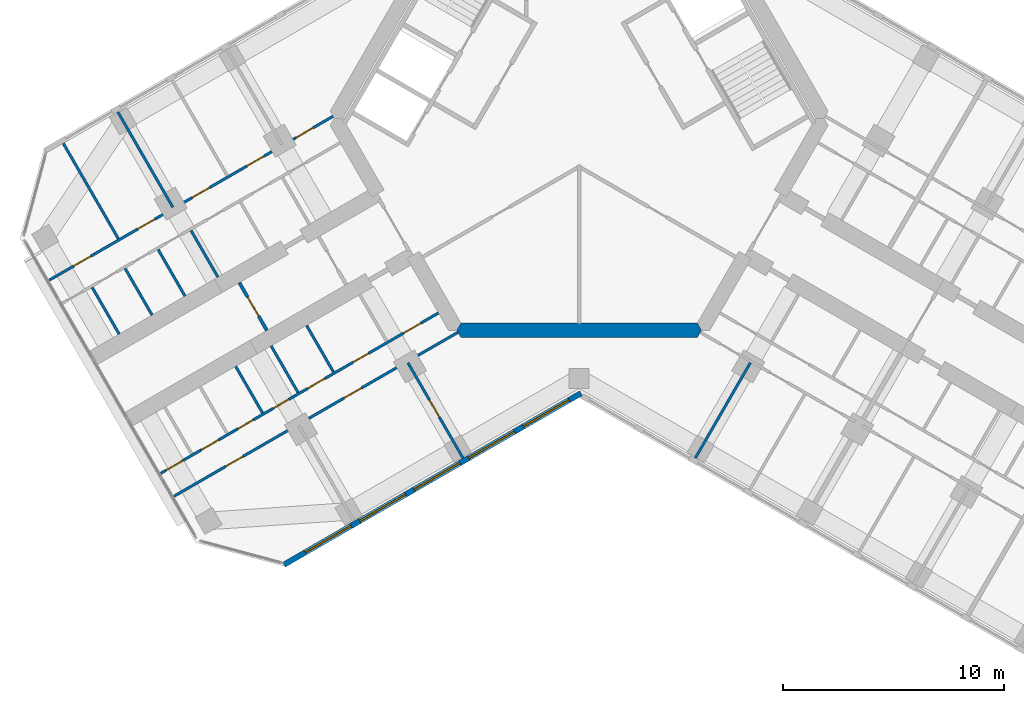
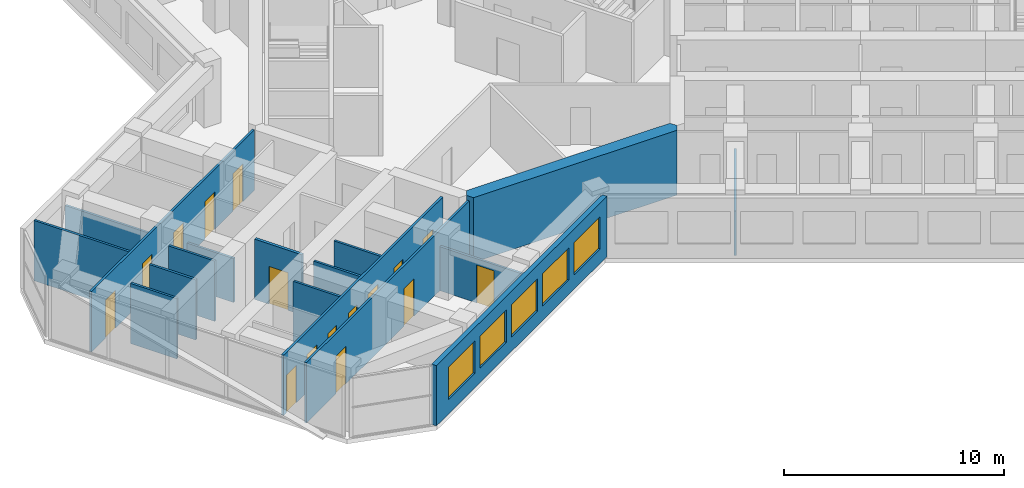
# One storey, part 8 of 16: 17 walls, 16 doors, 5 windows, 21 openings.
"""IFC4 building model written with IfcOpenShell, lengths in metres."""

from ifc_helpers import new_model, si_unit, direction, frame, frame_2d, origin, place, context, subcontext, project, spatial, polyline, rectangle, outline, extrude, material, layer, layer_set, type_object, element, fill, save


model = new_model("IFC4")

# Units and contexts
model_context = context("Model", 3, precision=1e-05, world=origin(), true_north=direction((0.0, 1.0)))
body_context = subcontext(model_context, "Body", "Model", "MODEL_VIEW")
ifc_project = project(units=[si_unit("LENGTHUNIT", "METRE"), si_unit("AREAUNIT", "SQUARE_METRE"), si_unit("VOLUMEUNIT", "CUBIC_METRE"), si_unit("PLANEANGLEUNIT", "RADIAN"), si_unit("MASSUNIT", "GRAM", prefix="KILO")], contexts=[model_context])

# Site, building, storey
site_placement = place(None, origin())
site = spatial("IfcSite", under=ifc_project, at=site_placement, CompositionType="ELEMENT")
building_placement = place(site_placement, origin())
building = spatial("IfcBuilding", under=site, at=building_placement, Name="Kosmar Iwan School Tower", CompositionType="ELEMENT")
storey_placement = place(building_placement, frame((0.0, 0.0, 197.39990234375)))
storey = spatial("IfcBuildingStorey", under=building, at=storey_placement, Name="L49", CompositionType="ELEMENT", Elevation=197.39990234375)

# Wall
ifc_material_1 = material(Name="Concrete C50/60", Category="concrete")
ifc_layer_1 = layer(ifc_material_1, 0.64990234375)
ifc_layer_set_1 = layer_set([ifc_layer_1], Name="Core wall 650")
wall_type_1 = type_object("IfcWallType", Name="Core wall 650", PredefinedType="SHEAR", material=ifc_layer_set_1)
wall_1_placement = place(storey_placement, origin())
element("IfcWall", 1, at=wall_1_placement, inside=storey, type_object=wall_type_1, Name="Core wall F270", PredefinedType="SHEAR", context=body_context, shape_type="SweptSolid", body=[
    extrude(outline(polyline([(-5.35498046875, -9.925048828125), (5.35498046875, -9.925048828125), (5.54248046875, -9.60009765625), (5.35498046875, -9.27490234375), (-5.35498046875, -9.27490234375), (-5.54248046875, -9.60009765625), (-5.35498046875, -9.925048828125)])), origin(), (0.0, 0.0, 1.0), 3.60009765625),
])

# Wall, opening, door
ifc_material_2 = material(Name="Gypsum board on steel studs, fire-rated", Category="steel")
ifc_layer_2 = layer(ifc_material_2, 0.14990234375)
ifc_layer_set_2 = layer_set([ifc_layer_2], Name="Corridor end wall 150")
wall_type_2 = type_object("IfcWallType", Name="Corridor end wall 150", PredefinedType="PARTITIONING", material=ifc_layer_set_2)
wall_2_placement = place(storey_placement, frame((-15.390625, -7.4423828125, 0.0), z_axis=(0.0, 0.0, 1.0), x_axis=(0.500004234368, -0.866022959057, 0.0)))
wall_2 = element("IfcWall", 2, at=wall_2_placement, inside=storey, type_object=wall_type_2, Name="Partition L49-B-CE", PredefinedType="PARTITIONING", context=body_context, shape_type="SweptSolid", body=[
    extrude(rectangle(XDim=2.5, YDim=0.14990234375, at=frame_2d((1.25, 0.0))), origin(), (0.0, 0.0, 1.0), 3.35009765625),
])
opening_1_placement = place(wall_2_placement, frame((0.75, 0.0, 0.0)))
opening_1 = element("IfcOpeningElement", 3, at=opening_1_placement, cuts=wall_2, Name="Opening D13", PredefinedType="OPENING", context=body_context, shape_type="SweptSolid", body=[
    extrude(rectangle(XDim=1.0, YDim=2.10009765625, at=frame_2d((0.5, 1.050048828125))), frame((0.0, 0.0869140625, 0.0), z_axis=(0.0, -1.0, 0.0), x_axis=(1.0, 0.0, 0.0)), (0.0, 0.0, 1.0), 0.173828125),
])
ifc_material_3 = material(Name="Timber fire door with vision panel", Category="wood")
door_type_1 = type_object("IfcDoorType", Name="Corridor end door 1000x2100", OperationType="SINGLE_SWING_LEFT", PredefinedType="DOOR", material=ifc_material_3)
door_1_placement = place(opening_1_placement, origin())
door_1 = element("IfcDoor", 4, at=door_1_placement, inside=storey, type_object=door_type_1, Name="Hobby workshop door L49-B", OperationType="SINGLE_SWING_LEFT", OverallHeight=2.10009765625, OverallWidth=1.0, PredefinedType="DOOR", context=body_context, shape_type="SweptSolid", body=[
    extrude(rectangle(XDim=1.0, YDim=2.10009765625, at=frame_2d((0.5, 1.050048828125))), frame((0.0, 0.02490234375, 0.0), z_axis=(0.0, -1.0, 0.0), x_axis=(1.0, 0.0, 0.0)), (0.0, 0.0, 1.0), 0.050048828125),
])
fill(opening_1, door_1)

# Wall, openings, doors
ifc_material_4 = material(Name="Gypsum board on steel studs", Category="steel")
ifc_layer_3 = layer(ifc_material_4, 0.1201171875)
ifc_layer_set_3 = layer_set([ifc_layer_3], Name="Dwelling partition 120")
wall_type_3 = type_object("IfcWallType", Name="Dwelling partition 120", PredefinedType="PARTITIONING", material=ifc_layer_set_3)
wall_3_placement = place(storey_placement, frame((-6.370361328125, -8.81640625, 0.0), z_axis=(0.0, 0.0, 1.0), x_axis=(-0.866025425371, -0.499999962611, 0.0)))
wall_3 = element("IfcWall", 5, at=wall_3_placement, inside=storey, type_object=wall_type_3, Name="Partition L49-BL1-W1", PredefinedType="PARTITIONING", context=body_context, shape_type="SweptSolid", body=[
    extrude(rectangle(XDim=14.52001953125, YDim=0.1201171875, at=frame_2d((7.260009765625, 0.0))), origin(), (0.0, 0.0, 1.0), 3.35009765625),
])
opening_2_placement = place(wall_3_placement, frame((0.925048828125, 0.0, 0.0)))
opening_2 = element("IfcOpeningElement", 6, at=opening_2_placement, cuts=wall_3, Name="Opening D2", PredefinedType="OPENING", context=body_context, shape_type="SweptSolid", body=[
    extrude(rectangle(XDim=0.89990234375, YDim=2.10009765625, at=frame_2d((0.449951171875, 1.050048828125))), frame((0.0, 0.072021484375, 0.0), z_axis=(0.0, -1.0, 0.0), x_axis=(1.0, 0.0, 0.0)), (0.0, 0.0, 1.0), 0.14404296875),
])
opening_3_placement = place(wall_3_placement, frame((3.665283203125, 0.0, 0.0)))
opening_3 = element("IfcOpeningElement", 7, at=opening_3_placement, cuts=wall_3, Name="Opening D3", PredefinedType="OPENING", context=body_context, shape_type="SweptSolid", body=[
    extrude(rectangle(XDim=0.800048828125, YDim=2.10009765625, at=frame_2d((0.39990234375, 1.050048828125))), frame((0.0, 0.072021484375, 0.0), z_axis=(0.0, -1.0, 0.0), x_axis=(1.0, 0.0, 0.0)), (0.0, 0.0, 1.0), 0.14404296875),
])
opening_4_placement = place(wall_3_placement, frame((5.9326171875, 0.0, 0.0)))
opening_4 = element("IfcOpeningElement", 8, at=opening_4_placement, cuts=wall_3, Name="Opening D2", PredefinedType="OPENING", context=body_context, shape_type="SweptSolid", body=[
    extrude(rectangle(XDim=0.89990234375, YDim=2.10009765625, at=frame_2d((0.449951171875, 1.050048828125))), frame((0.0, 0.072021484375, 0.0), z_axis=(0.0, -1.0, 0.0), x_axis=(1.0, 0.0, 0.0)), (0.0, 0.0, 1.0), 0.14404296875),
])
opening_5_placement = place(wall_3_placement, frame((7.836669921875, 0.0, 0.0)))
opening_5 = element("IfcOpeningElement", 9, at=opening_5_placement, cuts=wall_3, Name="Opening D3", PredefinedType="OPENING", context=body_context, shape_type="SweptSolid", body=[
    extrude(rectangle(XDim=0.800048828125, YDim=2.10009765625, at=frame_2d((0.39990234375, 1.050048828125))), frame((0.0, 0.072021484375, 0.0), z_axis=(0.0, -1.0, 0.0), x_axis=(1.0, 0.0, 0.0)), (0.0, 0.0, 1.0), 0.14404296875),
])
opening_6_placement = place(wall_3_placement, frame((9.6904296875, 0.0, 0.0)))
opening_6 = element("IfcOpeningElement", 10, at=opening_6_placement, cuts=wall_3, Name="Opening D3", PredefinedType="OPENING", context=body_context, shape_type="SweptSolid", body=[
    extrude(rectangle(XDim=0.800048828125, YDim=2.10009765625, at=frame_2d((0.39990234375, 1.050048828125))), frame((0.0, 0.072021484375, 0.0), z_axis=(0.0, -1.0, 0.0), x_axis=(1.0, 0.0, 0.0)), (0.0, 0.0, 1.0), 0.14404296875),
])
opening_7_placement = place(wall_3_placement, frame((11.494140625, 0.0, 0.0)))
opening_7 = element("IfcOpeningElement", 11, at=opening_7_placement, cuts=wall_3, Name="Opening D2", PredefinedType="OPENING", context=body_context, shape_type="SweptSolid", body=[
    extrude(rectangle(XDim=0.89990234375, YDim=2.10009765625, at=frame_2d((0.449951171875, 1.050048828125))), frame((0.0, 0.072021484375, 0.0), z_axis=(0.0, -1.0, 0.0), x_axis=(1.0, 0.0, 0.0)), (0.0, 0.0, 1.0), 0.14404296875),
])
opening_8_placement = place(wall_3_placement, frame((13.34814453125, 0.0, 0.0)))
opening_8 = element("IfcOpeningElement", 12, at=opening_8_placement, cuts=wall_3, Name="Opening D2", PredefinedType="OPENING", context=body_context, shape_type="SweptSolid", body=[
    extrude(rectangle(XDim=0.89990234375, YDim=2.10009765625, at=frame_2d((0.449951171875, 1.050048828125))), frame((0.0, 0.072021484375, 0.0), z_axis=(0.0, -1.0, 0.0), x_axis=(1.0, 0.0, 0.0)), (0.0, 0.0, 1.0), 0.14404296875),
])
ifc_material_5 = material(Name="Timber door in timber frame", Category="wood")
door_type_2 = type_object("IfcDoorType", Name="Internal door 900x2100", OperationType="SINGLE_SWING_LEFT", PredefinedType="DOOR", material=ifc_material_5)
door_2_placement = place(opening_2_placement, origin())
door_2 = element("IfcDoor", 13, at=door_2_placement, inside=storey, type_object=door_type_2, Name="Entrance hall door L49-BL1-S1", OperationType="SINGLE_SWING_LEFT", OverallHeight=2.10009765625, OverallWidth=0.89990234375, PredefinedType="DOOR", context=body_context, shape_type="SweptSolid", body=[
    extrude(rectangle(XDim=0.89990234375, YDim=2.10009765625, at=frame_2d((0.449951171875, 1.050048828125))), frame((0.0, 0.02490234375, 0.0), z_axis=(0.0, -1.0, 0.0), x_axis=(1.0, 0.0, 0.0)), (0.0, 0.0, 1.0), 0.050048828125),
])
fill(opening_2, door_2)
door_3_placement = place(opening_4_placement, origin())
door_3 = element("IfcDoor", 14, at=door_3_placement, inside=storey, type_object=door_type_2, Name="Pantry door L49-BL1-S3", OperationType="SINGLE_SWING_LEFT", OverallHeight=2.10009765625, OverallWidth=0.89990234375, PredefinedType="DOOR", context=body_context, shape_type="SweptSolid", body=[
    extrude(rectangle(XDim=0.89990234375, YDim=2.10009765625, at=frame_2d((0.449951171875, 1.050048828125))), frame((0.0, 0.02490234375, 0.0), z_axis=(0.0, -1.0, 0.0), x_axis=(1.0, 0.0, 0.0)), (0.0, 0.0, 1.0), 0.050048828125),
])
fill(opening_4, door_3)
door_4_placement = place(opening_7_placement, origin())
door_4 = element("IfcDoor", 15, at=door_4_placement, inside=storey, type_object=door_type_2, Name="Utility room door L49-BL1-S6", OperationType="SINGLE_SWING_RIGHT", OverallHeight=2.10009765625, OverallWidth=0.89990234375, PredefinedType="DOOR", context=body_context, shape_type="SweptSolid", body=[
    extrude(rectangle(XDim=0.89990234375, YDim=2.10009765625, at=frame_2d((0.449951171875, 1.050048828125))), frame((0.0, 0.02490234375, 0.0), z_axis=(0.0, -1.0, 0.0), x_axis=(1.0, 0.0, 0.0)), (0.0, 0.0, 1.0), 0.050048828125),
])
fill(opening_7, door_4)
door_5_placement = place(opening_8_placement, origin())
door_5 = element("IfcDoor", 16, at=door_5_placement, inside=storey, type_object=door_type_2, Name="Dressing room door L49-BL1-S7", OperationType="SINGLE_SWING_RIGHT", OverallHeight=2.10009765625, OverallWidth=0.89990234375, PredefinedType="DOOR", context=body_context, shape_type="SweptSolid", body=[
    extrude(rectangle(XDim=0.89990234375, YDim=2.10009765625, at=frame_2d((0.449951171875, 1.050048828125))), frame((0.0, 0.02490234375, 0.0), z_axis=(0.0, -1.0, 0.0), x_axis=(1.0, 0.0, 0.0)), (0.0, 0.0, 1.0), 0.050048828125),
])
fill(opening_8, door_5)
ifc_material_6 = material(Name="Timber door in timber frame", Category="wood")
door_type_3 = type_object("IfcDoorType", Name="Sanitary room door 800x2100", OperationType="SINGLE_SWING_LEFT", PredefinedType="DOOR", material=ifc_material_6)
door_6_placement = place(opening_3_placement, origin())
door_6 = element("IfcDoor", 17, at=door_6_placement, inside=storey, type_object=door_type_3, Name="Bathroom door L49-BL1-S2", OperationType="SINGLE_SWING_LEFT", OverallHeight=2.10009765625, OverallWidth=0.800048828125, PredefinedType="DOOR", context=body_context, shape_type="SweptSolid", body=[
    extrude(rectangle(XDim=0.800048828125, YDim=2.10009765625, at=frame_2d((0.39990234375, 1.050048828125))), frame((0.0, 0.02490234375, 0.0), z_axis=(0.0, -1.0, 0.0), x_axis=(1.0, 0.0, 0.0)), (0.0, 0.0, 1.0), 0.050048828125),
])
fill(opening_3, door_6)
door_7_placement = place(opening_5_placement, origin())
door_7 = element("IfcDoor", 18, at=door_7_placement, inside=storey, type_object=door_type_3, Name="WC door L49-BL1-S4", OperationType="SINGLE_SWING_RIGHT", OverallHeight=2.10009765625, OverallWidth=0.800048828125, PredefinedType="DOOR", context=body_context, shape_type="SweptSolid", body=[
    extrude(rectangle(XDim=0.800048828125, YDim=2.10009765625, at=frame_2d((0.39990234375, 1.050048828125))), frame((0.0, 0.02490234375, 0.0), z_axis=(0.0, -1.0, 0.0), x_axis=(1.0, 0.0, 0.0)), (0.0, 0.0, 1.0), 0.050048828125),
])
fill(opening_5, door_7)
door_8_placement = place(opening_6_placement, origin())
door_8 = element("IfcDoor", 19, at=door_8_placement, inside=storey, type_object=door_type_3, Name="Store door L49-BL1-S5", OperationType="SINGLE_SWING_RIGHT", OverallHeight=2.10009765625, OverallWidth=0.800048828125, PredefinedType="DOOR", context=body_context, shape_type="SweptSolid", body=[
    extrude(rectangle(XDim=0.800048828125, YDim=2.10009765625, at=frame_2d((0.39990234375, 1.050048828125))), frame((0.0, 0.02490234375, 0.0), z_axis=(0.0, -1.0, 0.0), x_axis=(1.0, 0.0, 0.0)), (0.0, 0.0, 1.0), 0.050048828125),
])
fill(opening_6, door_8)

wall_4_placement = place(storey_placement, frame((-5.48876953125, -9.693115234375, 0.0), z_axis=(0.0, 0.0, 1.0), x_axis=(-0.866030301974, -0.499991515992, 0.0)))
wall_4 = element("IfcWall", 20, at=wall_4_placement, inside=storey, type_object=wall_type_3, Name="Partition L49-BL1-W2", PredefinedType="PARTITIONING", context=body_context, shape_type="SweptSolid", body=[
    extrude(rectangle(XDim=14.844970703125, YDim=0.1201171875, at=frame_2d((7.42236328125, 0.0))), origin(), (0.0, 0.0, 1.0), 3.35009765625),
])
opening_9_placement = place(wall_4_placement, frame((5.050048828125, 0.0, 0.0)))
opening_9 = element("IfcOpeningElement", 21, at=opening_9_placement, cuts=wall_4, Name="Opening D2", PredefinedType="OPENING", context=body_context, shape_type="SweptSolid", body=[
    extrude(rectangle(XDim=0.89990234375, YDim=2.10009765625, at=frame_2d((0.449951171875, 1.050048828125))), frame((0.0, 0.072021484375, 0.0), z_axis=(0.0, -1.0, 0.0), x_axis=(1.0, 0.0, 0.0)), (0.0, 0.0, 1.0), 0.14404296875),
])
opening_10_placement = place(wall_4_placement, frame((11.25, 0.0, 0.0)))
opening_10 = element("IfcOpeningElement", 22, at=opening_10_placement, cuts=wall_4, Name="Opening D2", PredefinedType="OPENING", context=body_context, shape_type="SweptSolid", body=[
    extrude(rectangle(XDim=0.89990234375, YDim=2.10009765625, at=frame_2d((0.449951171875, 1.050048828125))), frame((0.0, 0.072021484375, 0.0), z_axis=(0.0, -1.0, 0.0), x_axis=(1.0, 0.0, 0.0)), (0.0, 0.0, 1.0), 0.14404296875),
])
door_9_placement = place(opening_9_placement, origin())
door_9 = element("IfcDoor", 23, at=door_9_placement, inside=storey, type_object=door_type_2, Name="Family room door L49-BL1-F2", OperationType="SINGLE_SWING_LEFT", OverallHeight=2.10009765625, OverallWidth=0.89990234375, PredefinedType="DOOR", context=body_context, shape_type="SweptSolid", body=[
    extrude(rectangle(XDim=0.89990234375, YDim=2.10009765625, at=frame_2d((0.449951171875, 1.050048828125))), frame((0.0, 0.02490234375, 0.0), z_axis=(0.0, -1.0, 0.0), x_axis=(1.0, 0.0, 0.0)), (0.0, 0.0, 1.0), 0.050048828125),
])
fill(opening_9, door_9)
door_10_placement = place(opening_10_placement, origin())
door_10 = element("IfcDoor", 24, at=door_10_placement, inside=storey, type_object=door_type_2, Name="Bedroom 1 door L49-BL1-F3", OperationType="SINGLE_SWING_RIGHT", OverallHeight=2.10009765625, OverallWidth=0.89990234375, PredefinedType="DOOR", context=body_context, shape_type="SweptSolid", body=[
    extrude(rectangle(XDim=0.89990234375, YDim=2.10009765625, at=frame_2d((0.449951171875, 1.050048828125))), frame((0.0, 0.02490234375, 0.0), z_axis=(0.0, -1.0, 0.0), x_axis=(1.0, 0.0, 0.0)), (0.0, 0.0, 1.0), 0.050048828125),
])
fill(opening_10, door_10)

# Wall, opening, door
wall_5_placement = place(storey_placement, frame((-7.75390625, -11.070068359375, 0.0), z_axis=(0.0, 0.0, 1.0), x_axis=(0.500011847778, -0.866018563358, 0.0)))
wall_5 = element("IfcWall", 25, at=wall_5_placement, inside=storey, type_object=wall_type_3, Name="Partition L49-BL1-X1", PredefinedType="PARTITIONING", context=body_context, shape_type="SweptSolid", body=[
    extrude(rectangle(XDim=4.990234375, YDim=0.1201171875, at=frame_2d((2.4951171875, 0.0))), origin(), (0.0, 0.0, 1.0), 2.4501953125),
])
opening_11_placement = place(wall_5_placement, frame((1.93994140625, 0.0, 0.0)))
opening_11 = element("IfcOpeningElement", 26, at=opening_11_placement, cuts=wall_5, Name="Opening D2", PredefinedType="OPENING", context=body_context, shape_type="SweptSolid", body=[
    extrude(rectangle(XDim=0.89990234375, YDim=2.10009765625, at=frame_2d((0.449951171875, 1.050048828125))), frame((0.0, 0.072021484375, 0.0), z_axis=(0.0, -1.0, 0.0), x_axis=(1.0, 0.0, 0.0)), (0.0, 0.0, 1.0), 0.14404296875),
])
door_11_placement = place(opening_11_placement, origin())
door_11 = element("IfcDoor", 27, at=door_11_placement, inside=storey, type_object=door_type_2, Name="Kitchen and dining room door L49-BL1-F1", OperationType="SINGLE_SWING_LEFT", OverallHeight=2.10009765625, OverallWidth=0.89990234375, PredefinedType="DOOR", context=body_context, shape_type="SweptSolid", body=[
    extrude(rectangle(XDim=0.89990234375, YDim=2.10009765625, at=frame_2d((0.449951171875, 1.050048828125))), frame((0.0, 0.02490234375, 0.0), z_axis=(0.0, -1.0, 0.0), x_axis=(1.0, 0.0, 0.0)), (0.0, 0.0, 1.0), 0.050048828125),
])
fill(opening_11, door_11)

# Walls
for number, where, z_axis, x_axis, name in (
    (28, (-12.34521484375, -9.379150390625, 0.0), (0.0, 0.0, 1.0), (0.500002508028, -0.866023955769, 0.0), "Partition L49-BL1-Y2"),
    (29, (-13.95068359375, -10.30615234375, 0.0), (0.0, 0.0, 1.0), (0.500002508028, -0.866023955769, 0.0), "Partition L49-BL1-Y3"),
):
    element("IfcWall", number, at=place(storey_placement, frame(where, z_axis=z_axis, x_axis=x_axis)), inside=storey, type_object=wall_type_3, Name=name, PredefinedType="PARTITIONING", context=body_context, shape_type="SweptSolid", body=[
        extrude(rectangle(XDim=2.43994140625, YDim=0.1201171875, at=frame_2d((1.219970703125, 0.0))), origin(), (0.0, 0.0, 1.0), 3.35009765625),
    ])
wall_6_placement = place(storey_placement, frame((-15.55615234375, -11.23291015625, 0.0), z_axis=(0.0, 0.0, 1.0), x_axis=(0.499959183527, -0.866048967903, 0.0)))
element("IfcWall", 30, at=wall_6_placement, inside=storey, type_object=wall_type_3, Name="Partition L49-BL1-Y4", PredefinedType="PARTITIONING", context=body_context, shape_type="SweptSolid", body=[
    extrude(rectangle(XDim=2.440185546875, YDim=0.1201171875, at=frame_2d((1.22021484375, 0.0))), origin(), (0.0, 0.0, 1.0), 3.35009765625),
])

# Wall, openings, doors
wall_7_placement = place(storey_placement, frame((-11.138916015625, 0.093017578125, 0.0), z_axis=(0.0, 0.0, 1.0), x_axis=(-0.866030301974, -0.499991515992, 0.0)))
wall_7 = element("IfcWall", 31, at=wall_7_placement, inside=storey, type_object=wall_type_3, Name="Partition L49-BR1-W2", PredefinedType="PARTITIONING", context=body_context, shape_type="SweptSolid", body=[
    extrude(rectangle(XDim=14.844970703125, YDim=0.1201171875, at=frame_2d((7.42236328125, 0.0))), origin(), (0.0, 0.0, 1.0), 3.35009765625),
])
opening_12_placement = place(wall_7_placement, frame((1.050048828125, 0.0, 0.0)))
opening_12 = element("IfcOpeningElement", 32, at=opening_12_placement, cuts=wall_7, Name="Opening D2", PredefinedType="OPENING", context=body_context, shape_type="SweptSolid", body=[
    extrude(rectangle(XDim=0.89990234375, YDim=2.10009765625, at=frame_2d((0.449951171875, 1.050048828125))), frame((0.0, 0.072021484375, 0.0), z_axis=(0.0, -1.0, 0.0), x_axis=(1.0, 0.0, 0.0)), (0.0, 0.0, 1.0), 0.14404296875),
])
opening_13_placement = place(wall_7_placement, frame((3.625, 0.0, 0.0)))
opening_13 = element("IfcOpeningElement", 33, at=opening_13_placement, cuts=wall_7, Name="Opening D2", PredefinedType="OPENING", context=body_context, shape_type="SweptSolid", body=[
    extrude(rectangle(XDim=0.89990234375, YDim=2.10009765625, at=frame_2d((0.449951171875, 1.050048828125))), frame((0.0, 0.072021484375, 0.0), z_axis=(0.0, -1.0, 0.0), x_axis=(1.0, 0.0, 0.0)), (0.0, 0.0, 1.0), 0.14404296875),
])
opening_14_placement = place(wall_7_placement, frame((6.47509765625, 0.0, 0.0)))
opening_14 = element("IfcOpeningElement", 34, at=opening_14_placement, cuts=wall_7, Name="Opening D2", PredefinedType="OPENING", context=body_context, shape_type="SweptSolid", body=[
    extrude(rectangle(XDim=0.89990234375, YDim=2.10009765625, at=frame_2d((0.449951171875, 1.050048828125))), frame((0.0, 0.072021484375, 0.0), z_axis=(0.0, -1.0, 0.0), x_axis=(1.0, 0.0, 0.0)), (0.0, 0.0, 1.0), 0.14404296875),
])
opening_15_placement = place(wall_7_placement, frame((9.324951171875, 0.0, 0.0)))
opening_15 = element("IfcOpeningElement", 35, at=opening_15_placement, cuts=wall_7, Name="Opening D2", PredefinedType="OPENING", context=body_context, shape_type="SweptSolid", body=[
    extrude(rectangle(XDim=0.89990234375, YDim=2.10009765625, at=frame_2d((0.449951171875, 1.050048828125))), frame((0.0, 0.072021484375, 0.0), z_axis=(0.0, -1.0, 0.0), x_axis=(1.0, 0.0, 0.0)), (0.0, 0.0, 1.0), 0.14404296875),
])
opening_16_placement = place(wall_7_placement, frame((12.675048828125, 0.0, 0.0)))
opening_16 = element("IfcOpeningElement", 36, at=opening_16_placement, cuts=wall_7, Name="Opening D2", PredefinedType="OPENING", context=body_context, shape_type="SweptSolid", body=[
    extrude(rectangle(XDim=0.89990234375, YDim=2.10009765625, at=frame_2d((0.449951171875, 1.050048828125))), frame((0.0, 0.072021484375, 0.0), z_axis=(0.0, -1.0, 0.0), x_axis=(1.0, 0.0, 0.0)), (0.0, 0.0, 1.0), 0.14404296875),
])
door_12_placement = place(opening_12_placement, origin())
door_12 = element("IfcDoor", 37, at=door_12_placement, inside=storey, type_object=door_type_2, Name="Living room and kitchen door L49-BR1-F1", OperationType="SINGLE_SWING_LEFT", OverallHeight=2.10009765625, OverallWidth=0.89990234375, PredefinedType="DOOR", context=body_context, shape_type="SweptSolid", body=[
    extrude(rectangle(XDim=0.89990234375, YDim=2.10009765625, at=frame_2d((0.449951171875, 1.050048828125))), frame((0.0, 0.02490234375, 0.0), z_axis=(0.0, -1.0, 0.0), x_axis=(1.0, 0.0, 0.0)), (0.0, 0.0, 1.0), 0.050048828125),
])
fill(opening_12, door_12)
door_13_placement = place(opening_13_placement, origin())
door_13 = element("IfcDoor", 38, at=door_13_placement, inside=storey, type_object=door_type_2, Name="Study door L49-BR1-F2", OperationType="SINGLE_SWING_LEFT", OverallHeight=2.10009765625, OverallWidth=0.89990234375, PredefinedType="DOOR", context=body_context, shape_type="SweptSolid", body=[
    extrude(rectangle(XDim=0.89990234375, YDim=2.10009765625, at=frame_2d((0.449951171875, 1.050048828125))), frame((0.0, 0.02490234375, 0.0), z_axis=(0.0, -1.0, 0.0), x_axis=(1.0, 0.0, 0.0)), (0.0, 0.0, 1.0), 0.050048828125),
])
fill(opening_13, door_13)
door_14_placement = place(opening_14_placement, origin())
door_14 = element("IfcDoor", 39, at=door_14_placement, inside=storey, type_object=door_type_2, Name="Bedroom 1 door L49-BR1-F3", OperationType="SINGLE_SWING_LEFT", OverallHeight=2.10009765625, OverallWidth=0.89990234375, PredefinedType="DOOR", context=body_context, shape_type="SweptSolid", body=[
    extrude(rectangle(XDim=0.89990234375, YDim=2.10009765625, at=frame_2d((0.449951171875, 1.050048828125))), frame((0.0, 0.02490234375, 0.0), z_axis=(0.0, -1.0, 0.0), x_axis=(1.0, 0.0, 0.0)), (0.0, 0.0, 1.0), 0.050048828125),
])
fill(opening_14, door_14)
door_15_placement = place(opening_15_placement, origin())
door_15 = element("IfcDoor", 40, at=door_15_placement, inside=storey, type_object=door_type_2, Name="Grandparents' suite door L49-BR1-F4", OperationType="SINGLE_SWING_RIGHT", OverallHeight=2.10009765625, OverallWidth=0.89990234375, PredefinedType="DOOR", context=body_context, shape_type="SweptSolid", body=[
    extrude(rectangle(XDim=0.89990234375, YDim=2.10009765625, at=frame_2d((0.449951171875, 1.050048828125))), frame((0.0, 0.02490234375, 0.0), z_axis=(0.0, -1.0, 0.0), x_axis=(1.0, 0.0, 0.0)), (0.0, 0.0, 1.0), 0.050048828125),
])
fill(opening_15, door_15)
door_16_placement = place(opening_16_placement, origin())
door_16 = element("IfcDoor", 41, at=door_16_placement, inside=storey, type_object=door_type_2, Name="Bedroom 2 door L49-BR1-F5", OperationType="SINGLE_SWING_RIGHT", OverallHeight=2.10009765625, OverallWidth=0.89990234375, PredefinedType="DOOR", context=body_context, shape_type="SweptSolid", body=[
    extrude(rectangle(XDim=0.89990234375, YDim=2.10009765625, at=frame_2d((0.449951171875, 1.050048828125))), frame((0.0, 0.02490234375, 0.0), z_axis=(0.0, -1.0, 0.0), x_axis=(1.0, 0.0, 0.0)), (0.0, 0.0, 1.0), 0.050048828125),
])
fill(opening_16, door_16)

# Walls
wall_8_placement = place(storey_placement, frame((-18.400146484375, -4.030029296875, 0.0), z_axis=(0.0, 0.0, 1.0), x_axis=(-0.500011847778, 0.866018563358, 0.0)))
element("IfcWall", 42, at=wall_8_placement, inside=storey, type_object=wall_type_3, Name="Partition L49-BR1-X3", PredefinedType="PARTITIONING", context=body_context, shape_type="SweptSolid", body=[
    extrude(rectangle(XDim=4.990234375, YDim=0.1201171875, at=frame_2d((2.4951171875, 0.0))), origin(), (0.0, 0.0, 1.0), 2.4501953125),
])
wall_9_placement = place(storey_placement, frame((-20.868408203125, -5.455078125, 0.0), z_axis=(0.0, 0.0, 1.0), x_axis=(-0.499975153383, 0.86603974851, 0.0)))
element("IfcWall", 43, at=wall_9_placement, inside=storey, type_object=wall_type_3, Name="Partition L49-BR1-X4", PredefinedType="PARTITIONING", context=body_context, shape_type="SweptSolid", body=[
    extrude(rectangle(XDim=4.989990234375, YDim=0.1201171875, at=frame_2d((2.4951171875, 0.0))), origin(), (0.0, 0.0, 1.0), 3.35009765625),
])
wall_10_placement = place(storey_placement, frame((-16.35791015625, -7.192626953125, 0.0), z_axis=(0.0, 0.0, 1.0), x_axis=(-0.500002508028, 0.866023955769, 0.0)))
element("IfcWall", 44, at=wall_10_placement, inside=storey, type_object=wall_type_3, Name="Partition L49-BR1-Y3", PredefinedType="PARTITIONING", context=body_context, shape_type="SweptSolid", body=[
    extrude(rectangle(XDim=2.43994140625, YDim=0.1201171875, at=frame_2d((1.219970703125, 0.0))), origin(), (0.0, 0.0, 1.0), 2.4501953125),
])
wall_11_placement = place(storey_placement, frame((-17.84912109375, -8.053466796875, 0.0), z_axis=(0.0, 0.0, 1.0), x_axis=(-0.500002508028, 0.866023955769, 0.0)))
element("IfcWall", 45, at=wall_11_placement, inside=storey, type_object=wall_type_3, Name="Partition L49-BR1-Y4", PredefinedType="PARTITIONING", context=body_context, shape_type="SweptSolid", body=[
    extrude(rectangle(XDim=2.43994140625, YDim=0.1201171875, at=frame_2d((1.219970703125, 0.0))), origin(), (0.0, 0.0, 1.0), 3.35009765625),
])
for number, where, z_axis, x_axis, name in (
    (46, (-19.34033203125, -8.91455078125, 0.0), (0.0, 0.0, 1.0), (-0.499959183527, 0.866048967903, 0.0), "Partition L49-BR1-Y5"),
    (47, (-20.831298828125, -9.775390625, 0.0), (0.0, 0.0, 1.0), (-0.500034220881, 0.866005645448, 0.0), "Partition L49-BR1-Y6"),
):
    element("IfcWall", number, at=place(storey_placement, frame(where, z_axis=z_axis, x_axis=x_axis)), inside=storey, type_object=wall_type_3, Name=name, PredefinedType="PARTITIONING", context=body_context, shape_type="SweptSolid", body=[
        extrude(rectangle(XDim=2.440185546875, YDim=0.1201171875, at=frame_2d((1.22021484375, 0.0))), origin(), (0.0, 0.0, 1.0), 3.35009765625),
    ])
wall_12_placement = place(storey_placement, frame((7.75390625, -11.070068359375, 0.0), z_axis=(0.0, 0.0, 1.0), x_axis=(-0.500011847778, -0.866018563358, 0.0)))
element("IfcWall", 48, at=wall_12_placement, inside=storey, type_object=wall_type_3, Name="Partition L49-CR1-X1", PredefinedType="PARTITIONING", context=body_context, shape_type="SweptSolid", body=[
    extrude(rectangle(XDim=4.990234375, YDim=0.1201171875, at=frame_2d((2.4951171875, 0.0))), origin(), (0.0, 0.0, 1.0), 2.4501953125),
])

# Wall, openings, windows
ifc_material_7 = material(Name="Black aluminium rainscreen on insulated framing", Category="aluminium")
ifc_layer_4 = layer(ifc_material_7, 0.25)
ifc_layer_set_4 = layer_set([ifc_layer_4], Name="External wall rainscreen 250")
wall_type_4 = type_object("IfcWallType", Name="External wall rainscreen 250", PredefinedType="SOLIDWALL", material=ifc_layer_set_4)
wall_13_placement = place(storey_placement, frame((0.088134765625, -12.44873046875, 0.0), z_axis=(0.0, 0.0, 1.0), x_axis=(-0.866029894971, -0.499992220956, 0.0)))
wall_13 = element("IfcWall", 49, at=wall_13_placement, inside=storey, type_object=wall_type_4, Name="External wall BL L49", PredefinedType="SOLIDWALL", context=body_context, shape_type="SweptSolid", body=[
    extrude(rectangle(XDim=15.537353515625, YDim=0.25, at=frame_2d((7.7685546875, 0.0))), origin(), (0.0, 0.0, 1.0), 3.35009765625),
])
opening_17_placement = place(wall_13_placement, frame((0.626953125, 0.0, 0.800048828125)))
opening_17 = element("IfcOpeningElement", 50, at=opening_17_placement, cuts=wall_13, Name="Opening W5", PredefinedType="OPENING", context=body_context, shape_type="SweptSolid", body=[
    extrude(rectangle(XDim=2.39990234375, YDim=1.800048828125, at=frame_2d((1.199951171875, 0.89990234375))), frame((0.0, 0.136962890625, 0.0), z_axis=(0.0, -1.0, 0.0), x_axis=(1.0, 0.0, 0.0)), (0.0, 0.0, 1.0), 0.27392578125),
])
opening_18_placement = place(wall_13_placement, frame((3.47705078125, 0.0, 0.800048828125)))
opening_18 = element("IfcOpeningElement", 51, at=opening_18_placement, cuts=wall_13, Name="Opening W5", PredefinedType="OPENING", context=body_context, shape_type="SweptSolid", body=[
    extrude(rectangle(XDim=2.39990234375, YDim=1.800048828125, at=frame_2d((1.199951171875, 0.89990234375))), frame((0.0, 0.136962890625, 0.0), z_axis=(0.0, -1.0, 0.0), x_axis=(1.0, 0.0, 0.0)), (0.0, 0.0, 1.0), 0.27392578125),
])
opening_19_placement = place(wall_13_placement, frame((6.326904296875, 0.0, 0.800048828125)))
opening_19 = element("IfcOpeningElement", 52, at=opening_19_placement, cuts=wall_13, Name="Opening W5", PredefinedType="OPENING", context=body_context, shape_type="SweptSolid", body=[
    extrude(rectangle(XDim=2.39990234375, YDim=1.800048828125, at=frame_2d((1.199951171875, 0.89990234375))), frame((0.0, 0.136962890625, 0.0), z_axis=(0.0, -1.0, 0.0), x_axis=(1.0, 0.0, 0.0)), (0.0, 0.0, 1.0), 0.27392578125),
])
opening_20_placement = place(wall_13_placement, frame((9.177001953125, 0.0, 0.800048828125)))
opening_20 = element("IfcOpeningElement", 53, at=opening_20_placement, cuts=wall_13, Name="Opening W5", PredefinedType="OPENING", context=body_context, shape_type="SweptSolid", body=[
    extrude(rectangle(XDim=2.39990234375, YDim=1.800048828125, at=frame_2d((1.199951171875, 0.89990234375))), frame((0.0, 0.136962890625, 0.0), z_axis=(0.0, -1.0, 0.0), x_axis=(1.0, 0.0, 0.0)), (0.0, 0.0, 1.0), 0.27392578125),
])
opening_21_placement = place(wall_13_placement, frame((12.027099609375, 0.0, 0.800048828125)))
opening_21 = element("IfcOpeningElement", 54, at=opening_21_placement, cuts=wall_13, Name="Opening W5", PredefinedType="OPENING", context=body_context, shape_type="SweptSolid", body=[
    extrude(rectangle(XDim=2.39990234375, YDim=1.800048828125, at=frame_2d((1.199951171875, 0.89990234375))), frame((0.0, 0.136962890625, 0.0), z_axis=(0.0, -1.0, 0.0), x_axis=(1.0, 0.0, 0.0)), (0.0, 0.0, 1.0), 0.27392578125),
])
ifc_material_8 = material(Name="Black aluminium frame with dark triple glazing", Category="aluminium")
window_type = type_object("IfcWindowType", Name="Window 2400x1800", PartitioningType="SINGLE_PANEL", PredefinedType="WINDOW", material=ifc_material_8)
window_1_placement = place(opening_17_placement, origin())
window_1 = element("IfcWindow", 55, at=window_1_placement, inside=storey, type_object=window_type, Name="Window BL L49 -1", OverallHeight=1.800048828125, OverallWidth=2.39990234375, PartitioningType="SINGLE_PANEL", PredefinedType="WINDOW", context=body_context, shape_type="SweptSolid", body=[
    extrude(rectangle(XDim=2.39990234375, YDim=1.800048828125, at=frame_2d((1.199951171875, 0.89990234375))), frame((0.0, 0.030029296875, 0.0), z_axis=(0.0, -1.0, 0.0), x_axis=(1.0, 0.0, 0.0)), (0.0, 0.0, 1.0), 0.06005859375),
])
fill(opening_17, window_1)
window_2_placement = place(opening_18_placement, origin())
window_2 = element("IfcWindow", 56, at=window_2_placement, inside=storey, type_object=window_type, Name="Window BL L49 0", OverallHeight=1.800048828125, OverallWidth=2.39990234375, PartitioningType="SINGLE_PANEL", PredefinedType="WINDOW", context=body_context, shape_type="SweptSolid", body=[
    extrude(rectangle(XDim=2.39990234375, YDim=1.800048828125, at=frame_2d((1.199951171875, 0.89990234375))), frame((0.0, 0.030029296875, 0.0), z_axis=(0.0, -1.0, 0.0), x_axis=(1.0, 0.0, 0.0)), (0.0, 0.0, 1.0), 0.06005859375),
])
fill(opening_18, window_2)
window_3_placement = place(opening_19_placement, origin())
window_3 = element("IfcWindow", 57, at=window_3_placement, inside=storey, type_object=window_type, Name="Window BL L49 1", OverallHeight=1.800048828125, OverallWidth=2.39990234375, PartitioningType="SINGLE_PANEL", PredefinedType="WINDOW", context=body_context, shape_type="SweptSolid", body=[
    extrude(rectangle(XDim=2.39990234375, YDim=1.800048828125, at=frame_2d((1.199951171875, 0.89990234375))), frame((0.0, 0.030029296875, 0.0), z_axis=(0.0, -1.0, 0.0), x_axis=(1.0, 0.0, 0.0)), (0.0, 0.0, 1.0), 0.06005859375),
])
fill(opening_19, window_3)
window_4_placement = place(opening_20_placement, origin())
window_4 = element("IfcWindow", 58, at=window_4_placement, inside=storey, type_object=window_type, Name="Window BL L49 2", OverallHeight=1.800048828125, OverallWidth=2.39990234375, PartitioningType="SINGLE_PANEL", PredefinedType="WINDOW", context=body_context, shape_type="SweptSolid", body=[
    extrude(rectangle(XDim=2.39990234375, YDim=1.800048828125, at=frame_2d((1.199951171875, 0.89990234375))), frame((0.0, 0.030029296875, 0.0), z_axis=(0.0, -1.0, 0.0), x_axis=(1.0, 0.0, 0.0)), (0.0, 0.0, 1.0), 0.06005859375),
])
fill(opening_20, window_4)
window_5_placement = place(opening_21_placement, origin())
window_5 = element("IfcWindow", 59, at=window_5_placement, inside=storey, type_object=window_type, Name="Window BL L49 3", OverallHeight=1.800048828125, OverallWidth=2.39990234375, PartitioningType="SINGLE_PANEL", PredefinedType="WINDOW", context=body_context, shape_type="SweptSolid", body=[
    extrude(rectangle(XDim=2.39990234375, YDim=1.800048828125, at=frame_2d((1.199951171875, 0.89990234375))), frame((0.0, 0.030029296875, 0.0), z_axis=(0.0, -1.0, 0.0), x_axis=(1.0, 0.0, 0.0)), (0.0, 0.0, 1.0), 0.06005859375),
])
fill(opening_21, window_5)

save(model, "model.ifc")
